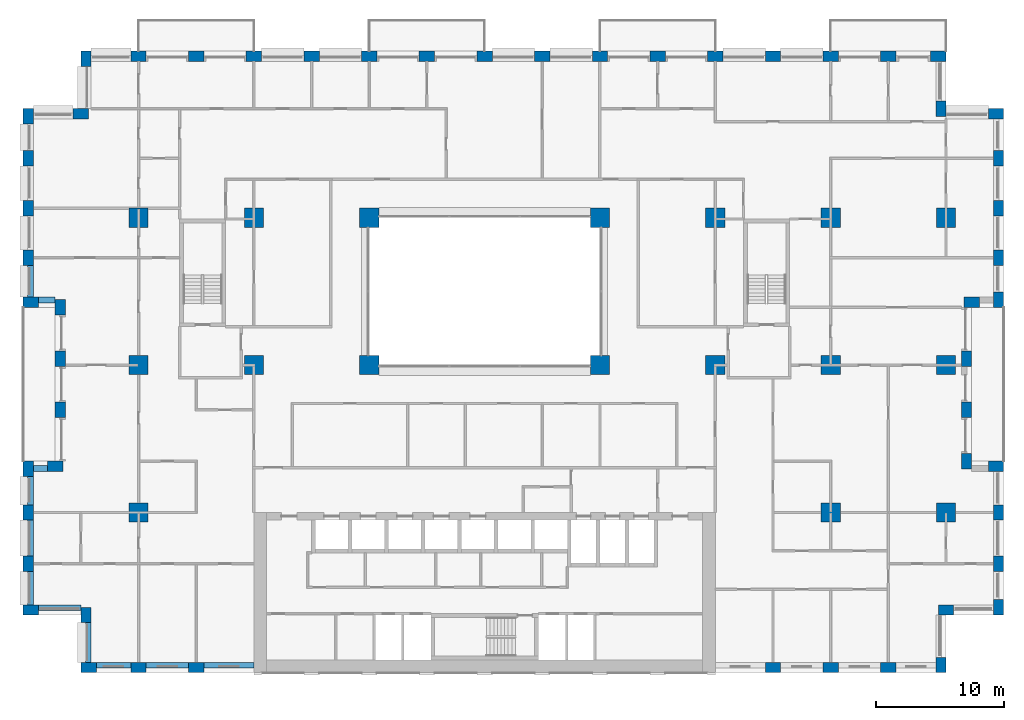
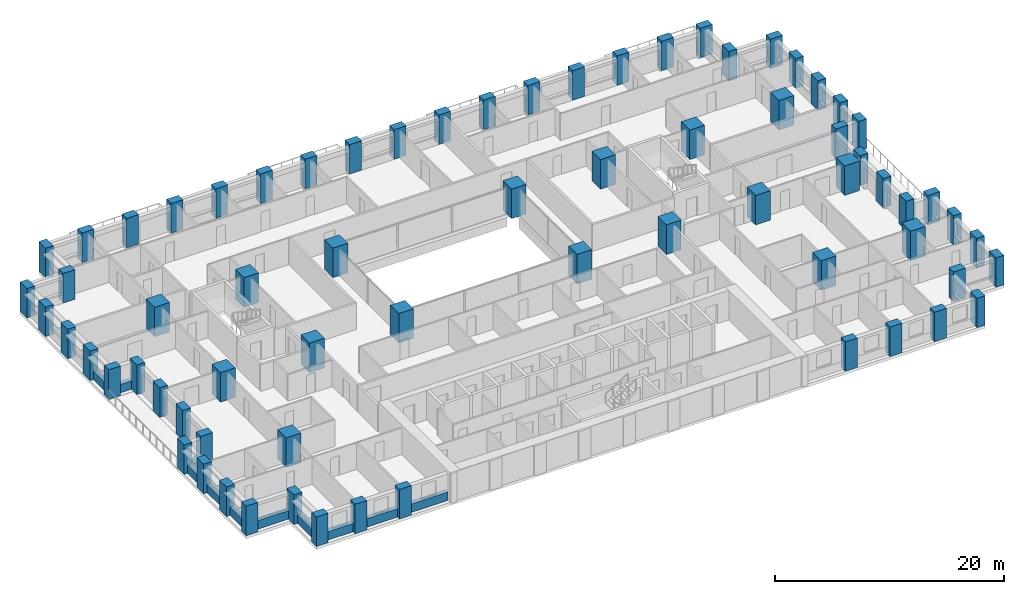
# One storey, part 1 of 21: 70 columns, 11 beams.
"""IFC4 building model written with IfcOpenShell, lengths in metres."""

from ifc_helpers import new_model, si_unit, direction, frame, origin, origin_2d, place, context, subcontext, project, spatial, rectangle, extrude, material, material_profile, profile_set, type_object, element, save


model = new_model("IFC4")

# Units and contexts
model_context = context("Model", 3, precision=1e-05, world=origin(), true_north=direction((0.0, 1.0)))
body_context = subcontext(model_context, "Body", "Model", "MODEL_VIEW")
ifc_project = project(units=[si_unit("LENGTHUNIT", "METRE"), si_unit("AREAUNIT", "SQUARE_METRE"), si_unit("VOLUMEUNIT", "CUBIC_METRE"), si_unit("PLANEANGLEUNIT", "RADIAN"), si_unit("MASSUNIT", "GRAM", prefix="KILO")], contexts=[model_context])

# Site, building, storey
site_placement = place(None, origin())
site = spatial("IfcSite", under=ifc_project, at=site_placement, CompositionType="ELEMENT")
building_placement = place(site_placement, origin())
building = spatial("IfcBuilding", under=site, at=building_placement, Name="Brigalow Station Residences", CompositionType="ELEMENT")
storey_placement = place(building_placement, frame((0.0, 0.0, 47.85009765625)))
storey = spatial("IfcBuildingStorey", under=building, at=storey_placement, Name="L13", CompositionType="ELEMENT", Elevation=47.85009765625)

# Columns
ifc_material_1 = material(Name="Concrete C80", Category="concrete")
ifc_material_profile_1 = material_profile(ifc_material_1, rectangle(XDim=1.5, YDim=1.5, at=origin_2d()), Name="RC1500x1500")
ifc_profile_set_1 = profile_set([ifc_material_profile_1], Name="Concrete C80")
column_type_1 = type_object("IfcColumnType", Name="COLUMN 1500x1500 C80", PredefinedType="COLUMN", material=ifc_profile_set_1)
for number, where, z_axis, x_axis, name in (
    (1, (9.0, 24.0, 0.0), (0.0, 0.0, 1.0), (1.0, 0.0, 0.0), "COLUMN C1 L13"),
    (2, (18.0, 24.0, 0.0), (0.0, 0.0, 1.0), (1.0, 0.0, 0.0), "COLUMN C2 L13"),
    (3, (27.0, 24.0, 0.0), (0.0, 0.0, 1.0), (1.0, 0.0, 0.0), "COLUMN C3 L13"),
    (4, (45.0, 24.0, 0.0), (0.0, 0.0, 1.0), (1.0, 0.0, 0.0), "COLUMN C5 L13"),
    (5, (54.0, 24.0, 0.0), (0.0, 0.0, 1.0), (1.0, 0.0, 0.0), "COLUMN C6 L13"),
    (6, (63.0, 24.0, 0.0), (0.0, 0.0, 1.0), (1.0, 0.0, 0.0), "COLUMN C7 L13"),
    (7, (72.0, 24.0, 0.0), (0.0, 0.0, 1.0), (1.0, 0.0, 0.0), "COLUMN C8 L13"),
    (8, (9.0, 35.5, 0.0), (0.0, 0.0, 1.0), (1.0, 0.0, 0.0), "COLUMN D1 L13"),
    (9, (18.0, 35.5, 0.0), (0.0, 0.0, 1.0), (1.0, 0.0, 0.0), "COLUMN D2 L13"),
    (10, (27.0, 35.5, 0.0), (0.0, 0.0, 1.0), (1.0, 0.0, 0.0), "COLUMN D3 L13"),
    (11, (45.0, 35.5, 0.0), (0.0, 0.0, 1.0), (1.0, 0.0, 0.0), "COLUMN D5 L13"),
    (12, (54.0, 35.5, 0.0), (0.0, 0.0, 1.0), (1.0, 0.0, 0.0), "COLUMN D6 L13"),
    (13, (63.0, 35.5, 0.0), (0.0, 0.0, 1.0), (1.0, 0.0, 0.0), "COLUMN D7 L13"),
    (14, (72.0, 35.5, 0.0), (0.0, 0.0, 1.0), (1.0, 0.0, 0.0), "COLUMN D8 L13"),
    (15, (9.0, 12.5, 0.0), (0.0, 0.0, 1.0), (1.0, 0.0, 0.0), "COLUMN B1 L13"),
    (16, (63.0, 12.5, 0.0), (0.0, 0.0, 1.0), (1.0, 0.0, 0.0), "COLUMN B7 L13"),
    (17, (72.0, 12.5, 0.0), (0.0, 0.0, 1.0), (1.0, 0.0, 0.0), "COLUMN B8 L13"),
):
    element("IfcColumn", number, at=place(storey_placement, frame(where, z_axis=z_axis, x_axis=x_axis)), inside=storey, type_object=column_type_1, Name=name, PredefinedType="COLUMN", context=body_context, shape_type="SweptSolid", body=[
        extrude(rectangle(XDim=1.5, YDim=1.5, at=origin_2d()), origin(), (0.0, 0.0, 1.0), 3.14990234375),
    ])
ifc_material_2 = material(Name="Concrete C80", Category="concrete")
ifc_material_profile_2 = material_profile(ifc_material_2, rectangle(XDim=1.199951171875, YDim=0.800048828125, at=origin_2d()), Name="RC1200x800")
ifc_profile_set_2 = profile_set([ifc_material_profile_2], Name="Concrete C80")
column_type_2 = type_object("IfcColumnType", Name="PIER 1200x800 C80", PredefinedType="USERDEFINED", material=ifc_profile_set_2)
for number, where, z_axis, x_axis, name in (
    (18, (5.10009765625, 0.39990234375, 0.0), (0.0, 0.0, 1.0), (1.0, 0.0, 0.0), "PIER S-1 L13"),
    (19, (9.0, 0.39990234375, 0.0), (0.0, 0.0, 1.0), (1.0, 0.0, 0.0), "PIER S-2 L13"),
    (20, (13.5, 0.39990234375, 0.0), (0.0, 0.0, 1.0), (1.0, 0.0, 0.0), "PIER S-3 L13"),
    (21, (58.5, 0.39990234375, 0.0), (0.0, 0.0, 1.0), (1.0, 0.0, 0.0), "PIER S-13 L13"),
    (22, (63.0, 0.39990234375, 0.0), (0.0, 0.0, 1.0), (1.0, 0.0, 0.0), "PIER S-14 L13"),
    (23, (67.5, 0.39990234375, 0.0), (0.0, 0.0, 1.0), (1.0, 0.0, 0.0), "PIER S-15 L13"),
    (24, (71.60009765625, 0.60009765625, 0.0), (0.0, 0.0, 1.0), (0.0, 1.0, 0.0), "PIER SE1-1 L13"),
    (25, (72.0, 4.89990234375, 0.0), (0.0, 0.0, 1.0), (1.0, 0.0, 0.0), "PIER SE2-1 L13"),
    (26, (76.10009765625, 5.10009765625, 0.0), (0.0, 0.0, 1.0), (0.0, 1.0, 0.0), "PIER E1-1 L13"),
    (27, (76.10009765625, 8.5, 0.0), (0.0, 0.0, 1.0), (0.0, 1.0, 0.0), "PIER E1-2 L13"),
    (28, (76.10009765625, 12.5, 0.0), (0.0, 0.0, 1.0), (0.0, 1.0, 0.0), "PIER E1-3 L13"),
    (29, (75.89990234375, 16.10009765625, 0.0), (0.0, 0.0, 1.0), (-1.0, 0.0, 0.0), "PIER EL1-1 L13"),
    (30, (73.60009765625, 16.5, 0.0), (0.0, 0.0, 1.0), (0.0, 1.0, 0.0), "PIER EL2-1 L13"),
    (31, (73.60009765625, 20.5, 0.0), (0.0, 0.0, 1.0), (0.0, 1.0, 0.0), "PIER EL2-2 L13"),
    (32, (73.60009765625, 24.5, 0.0), (0.0, 0.0, 1.0), (0.0, 1.0, 0.0), "PIER EL2-3 L13"),
    (33, (74.0, 28.89990234375, 0.0), (0.0, 0.0, 1.0), (1.0, 0.0, 0.0), "PIER EL3-1 L13"),
    (34, (76.10009765625, 29.10009765625, 0.0), (0.0, 0.0, 1.0), (0.0, 1.0, 0.0), "PIER E2-1 L13"),
    (35, (76.10009765625, 32.375, 0.0), (0.0, 0.0, 1.0), (0.0, 1.0, 0.0), "PIER E2-2 L13"),
    (36, (76.10009765625, 36.25, 0.0), (0.0, 0.0, 1.0), (0.0, 1.0, 0.0), "PIER E2-3 L13"),
    (37, (76.10009765625, 40.125, 0.0), (0.0, 0.0, 1.0), (0.0, 1.0, 0.0), "PIER E2-4 L13"),
    (38, (75.89990234375, 43.60009765625, 0.0), (0.0, 0.0, 1.0), (-1.0, 0.0, 0.0), "PIER NE1-1 L13"),
    (39, (71.60009765625, 44.0, 0.0), (0.0, 0.0, 1.0), (0.0, 1.0, 0.0), "PIER NE2-1 L13"),
    (40, (71.39990234375, 48.10009765625, 0.0), (0.0, 0.0, 1.0), (-1.0, 0.0, 0.0), "PIER N-1 L13"),
    (41, (67.5, 48.10009765625, 0.0), (0.0, 0.0, 1.0), (-1.0, 0.0, 0.0), "PIER N-2 L13"),
    (42, (63.0, 48.10009765625, 0.0), (0.0, 0.0, 1.0), (-1.0, 0.0, 0.0), "PIER N-3 L13"),
    (43, (58.5, 48.10009765625, 0.0), (0.0, 0.0, 1.0), (-1.0, 0.0, 0.0), "PIER N-4 L13"),
    (44, (54.0, 48.10009765625, 0.0), (0.0, 0.0, 1.0), (-1.0, 0.0, 0.0), "PIER N-5 L13"),
    (45, (49.5, 48.10009765625, 0.0), (0.0, 0.0, 1.0), (-1.0, 0.0, 0.0), "PIER N-6 L13"),
    (46, (45.0, 48.10009765625, 0.0), (0.0, 0.0, 1.0), (-1.0, 0.0, 0.0), "PIER N-7 L13"),
    (47, (40.5, 48.10009765625, 0.0), (0.0, 0.0, 1.0), (-1.0, 0.0, 0.0), "PIER N-8 L13"),
    (48, (36.0, 48.10009765625, 0.0), (0.0, 0.0, 1.0), (-1.0, 0.0, 0.0), "PIER N-9 L13"),
    (49, (31.5, 48.10009765625, 0.0), (0.0, 0.0, 1.0), (-1.0, 0.0, 0.0), "PIER N-10 L13"),
    (50, (27.0, 48.10009765625, 0.0), (0.0, 0.0, 1.0), (-1.0, 0.0, 0.0), "PIER N-11 L13"),
    (51, (22.5, 48.10009765625, 0.0), (0.0, 0.0, 1.0), (-1.0, 0.0, 0.0), "PIER N-12 L13"),
    (52, (18.0, 48.10009765625, 0.0), (0.0, 0.0, 1.0), (-1.0, 0.0, 0.0), "PIER N-13 L13"),
    (53, (13.5, 48.10009765625, 0.0), (0.0, 0.0, 1.0), (-1.0, 0.0, 0.0), "PIER N-14 L13"),
    (54, (9.0, 48.10009765625, 0.0), (0.0, 0.0, 1.0), (-1.0, 0.0, 0.0), "PIER N-15 L13"),
    (55, (4.89990234375, 47.89990234375, 0.0), (0.0, 0.0, 1.0), (0.0, -1.0, 0.0), "PIER NW1-1 L13"),
    (56, (4.5, 43.60009765625, 0.0), (0.0, 0.0, 1.0), (-1.0, 0.0, 0.0), "PIER NW2-1 L13"),
    (57, (0.39990234375, 43.39990234375, 0.0), (0.0, 0.0, 1.0), (0.0, -1.0, 0.0), "PIER W2-1 L13"),
    (58, (0.39990234375, 40.125, 0.0), (0.0, 0.0, 1.0), (0.0, -1.0, 0.0), "PIER W2-2 L13"),
    (59, (0.39990234375, 36.25, 0.0), (0.0, 0.0, 1.0), (0.0, -1.0, 0.0), "PIER W2-3 L13"),
    (60, (0.39990234375, 32.375, 0.0), (0.0, 0.0, 1.0), (0.0, -1.0, 0.0), "PIER W2-4 L13"),
    (61, (0.60009765625, 28.89990234375, 0.0), (0.0, 0.0, 1.0), (1.0, 0.0, 0.0), "PIER WL1-1 L13"),
    (62, (2.89990234375, 28.5, 0.0), (0.0, 0.0, 1.0), (0.0, -1.0, 0.0), "PIER WL2-1 L13"),
    (63, (2.89990234375, 24.5, 0.0), (0.0, 0.0, 1.0), (0.0, -1.0, 0.0), "PIER WL2-2 L13"),
    (64, (2.89990234375, 20.5, 0.0), (0.0, 0.0, 1.0), (0.0, -1.0, 0.0), "PIER WL2-3 L13"),
    (65, (2.5, 16.10009765625, 0.0), (0.0, 0.0, 1.0), (-1.0, 0.0, 0.0), "PIER WL3-1 L13"),
    (66, (0.39990234375, 15.89990234375, 0.0), (0.0, 0.0, 1.0), (0.0, -1.0, 0.0), "PIER W1-1 L13"),
    (67, (0.39990234375, 12.5, 0.0), (0.0, 0.0, 1.0), (0.0, -1.0, 0.0), "PIER W1-2 L13"),
    (68, (0.39990234375, 8.5, 0.0), (0.0, 0.0, 1.0), (0.0, -1.0, 0.0), "PIER W1-3 L13"),
    (69, (0.60009765625, 4.89990234375, 0.0), (0.0, 0.0, 1.0), (1.0, 0.0, 0.0), "PIER SW1-1 L13"),
    (70, (4.89990234375, 4.5, 0.0), (0.0, 0.0, 1.0), (0.0, -1.0, 0.0), "PIER SW2-1 L13"),
):
    element("IfcColumn", number, at=place(storey_placement, frame(where, z_axis=z_axis, x_axis=x_axis)), inside=storey, type_object=column_type_2, Name=name, ObjectType="PIER", PredefinedType="USERDEFINED", context=body_context, shape_type="SweptSolid", body=[
        extrude(rectangle(XDim=1.199951171875, YDim=0.800048828125, at=origin_2d()), origin(), (0.0, 0.0, 1.0), 3.14990234375),
    ])

# Beams
ifc_material_3 = material(Name="Concrete C65", Category="concrete")
ifc_material_profile_3 = material_profile(ifc_material_3, rectangle(XDim=0.449951171875, YDim=0.89990234375, at=origin_2d()), Name="RC450x900")
ifc_profile_set_3 = profile_set([ifc_material_profile_3], Name="Concrete C65")
beam_type = type_object("IfcBeamType", Name="SPANDREL BEAM 450x900 C65", PredefinedType="SPANDREL", material=ifc_profile_set_3)
beam_1_placement = place(storey_placement, frame((5.699951171875, 0.574951171875, 0.449951171875), z_axis=(1.0, 0.0, 0.0), x_axis=(0.0, 1.0, 0.0)))
element("IfcBeam", 71, at=beam_1_placement, inside=storey, type_object=beam_type, Name="L13/spandrel/W-L13-1", PredefinedType="SPANDREL", context=body_context, shape_type="SweptSolid", body=[
    extrude(rectangle(XDim=0.449951171875, YDim=0.89990234375, at=origin_2d()), origin(), (0.0, 0.0, 1.0), 2.699951171875),
])
beam_2_placement = place(storey_placement, frame((9.60009765625, 0.574951171875, 0.449951171875), z_axis=(1.0, 0.0, 0.0), x_axis=(0.0, 1.0, 0.0)))
element("IfcBeam", 72, at=beam_2_placement, inside=storey, type_object=beam_type, Name="L13/spandrel/W-L13-2", PredefinedType="SPANDREL", context=body_context, shape_type="SweptSolid", body=[
    extrude(rectangle(XDim=0.449951171875, YDim=0.89990234375, at=origin_2d()), origin(), (0.0, 0.0, 1.0), 3.2998046875),
])
beam_3_placement = place(storey_placement, frame((14.10009765625, 0.574951171875, 0.449951171875), z_axis=(1.0, 0.0, 0.0), x_axis=(0.0, 1.0, 0.0)))
element("IfcBeam", 73, at=beam_3_placement, inside=storey, type_object=beam_type, Name="L13/spandrel/W-L13-3", PredefinedType="SPANDREL", context=body_context, shape_type="SweptSolid", body=[
    extrude(rectangle(XDim=0.449951171875, YDim=0.89990234375, at=origin_2d()), origin(), (0.0, 0.0, 1.0), 3.89990234375),
])
beam_4_placement = place(storey_placement, frame((0.574951171875, 31.77490234375, 0.449951171875), z_axis=(0.0, -1.0, 0.0), x_axis=(1.0, 0.0, 0.0)))
element("IfcBeam", 74, at=beam_4_placement, inside=storey, type_object=beam_type, Name="L13/spandrel/W-L13-45", PredefinedType="SPANDREL", context=body_context, shape_type="SweptSolid", body=[
    extrude(rectangle(XDim=0.449951171875, YDim=0.89990234375, at=origin_2d()), origin(), (0.0, 0.0, 1.0), 2.474853515625),
])
beam_5_placement = place(storey_placement, frame((1.199951171875, 29.074951171875, 0.449951171875), z_axis=(1.0, 0.0, 0.0), x_axis=(0.0, 1.0, 0.0)))
element("IfcBeam", 75, at=beam_5_placement, inside=storey, type_object=beam_type, Name="L13/spandrel/W-L13-46", PredefinedType="SPANDREL", context=body_context, shape_type="SweptSolid", body=[
    extrude(rectangle(XDim=0.449951171875, YDim=0.89990234375, at=origin_2d()), origin(), (0.0, 0.0, 1.0), 1.300048828125),
])
beam_6_placement = place(storey_placement, frame((1.89990234375, 15.925048828125, 0.449951171875), z_axis=(-1.0, 0.0, 0.0), x_axis=(0.0, -1.0, 0.0)))
element("IfcBeam", 76, at=beam_6_placement, inside=storey, type_object=beam_type, Name="L13/spandrel/W-L13-50", PredefinedType="SPANDREL", context=body_context, shape_type="SweptSolid", body=[
    extrude(rectangle(XDim=0.449951171875, YDim=0.89990234375, at=origin_2d()), origin(), (0.0, 0.0, 1.0), 1.099853515625),
])
beam_7_placement = place(storey_placement, frame((0.574951171875, 15.300048828125, 0.449951171875), z_axis=(0.0, -1.0, 0.0), x_axis=(1.0, 0.0, 0.0)))
element("IfcBeam", 77, at=beam_7_placement, inside=storey, type_object=beam_type, Name="L13/spandrel/W-L13-51", PredefinedType="SPANDREL", context=body_context, shape_type="SweptSolid", body=[
    extrude(rectangle(XDim=0.449951171875, YDim=0.89990234375, at=origin_2d()), origin(), (0.0, 0.0, 1.0), 2.199951171875),
])
beam_8_placement = place(storey_placement, frame((0.574951171875, 11.89990234375, 0.449951171875), z_axis=(0.0, -1.0, 0.0), x_axis=(1.0, 0.0, 0.0)))
element("IfcBeam", 78, at=beam_8_placement, inside=storey, type_object=beam_type, Name="L13/spandrel/W-L13-52", PredefinedType="SPANDREL", context=body_context, shape_type="SweptSolid", body=[
    extrude(rectangle(XDim=0.449951171875, YDim=0.89990234375, at=origin_2d()), origin(), (0.0, 0.0, 1.0), 2.7998046875),
])
beam_9_placement = place(storey_placement, frame((0.574951171875, 7.89990234375, 0.449951171875), z_axis=(0.0, -1.0, 0.0), x_axis=(1.0, 0.0, 0.0)))
element("IfcBeam", 79, at=beam_9_placement, inside=storey, type_object=beam_type, Name="L13/spandrel/W-L13-53", PredefinedType="SPANDREL", context=body_context, shape_type="SweptSolid", body=[
    extrude(rectangle(XDim=0.449951171875, YDim=0.89990234375, at=origin_2d()), origin(), (0.0, 0.0, 1.0), 2.599853515625),
])
beam_10_placement = place(storey_placement, frame((1.199951171875, 5.074951171875, 0.449951171875), z_axis=(1.0, 0.0, 0.0), x_axis=(0.0, 1.0, 0.0)))
element("IfcBeam", 80, at=beam_10_placement, inside=storey, type_object=beam_type, Name="L13/spandrel/W-L13-54", PredefinedType="SPANDREL", context=body_context, shape_type="SweptSolid", body=[
    extrude(rectangle(XDim=0.449951171875, YDim=0.89990234375, at=origin_2d()), origin(), (0.0, 0.0, 1.0), 3.300048828125),
])
beam_11_placement = place(storey_placement, frame((5.074951171875, 3.89990234375, 0.449951171875), z_axis=(0.0, -1.0, 0.0), x_axis=(1.0, 0.0, 0.0)))
element("IfcBeam", 81, at=beam_11_placement, inside=storey, type_object=beam_type, Name="L13/spandrel/W-L13-55", PredefinedType="SPANDREL", context=body_context, shape_type="SweptSolid", body=[
    extrude(rectangle(XDim=0.449951171875, YDim=0.89990234375, at=origin_2d()), origin(), (0.0, 0.0, 1.0), 3.099853515625),
])

save(model, "model.ifc")
